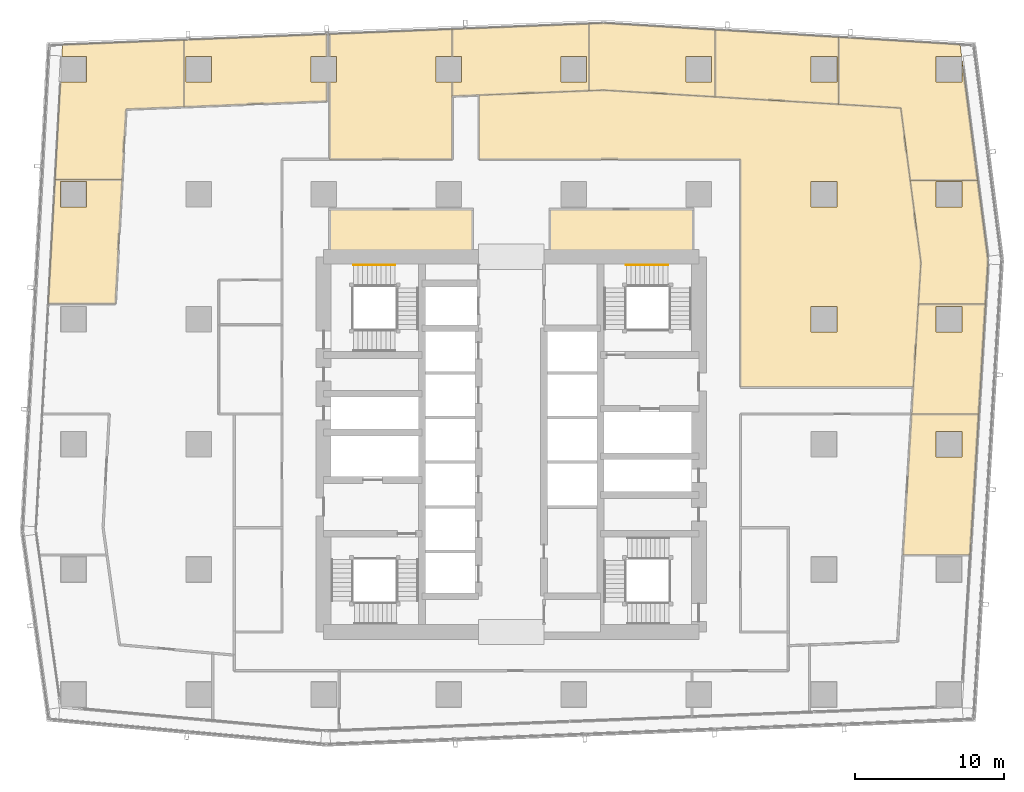
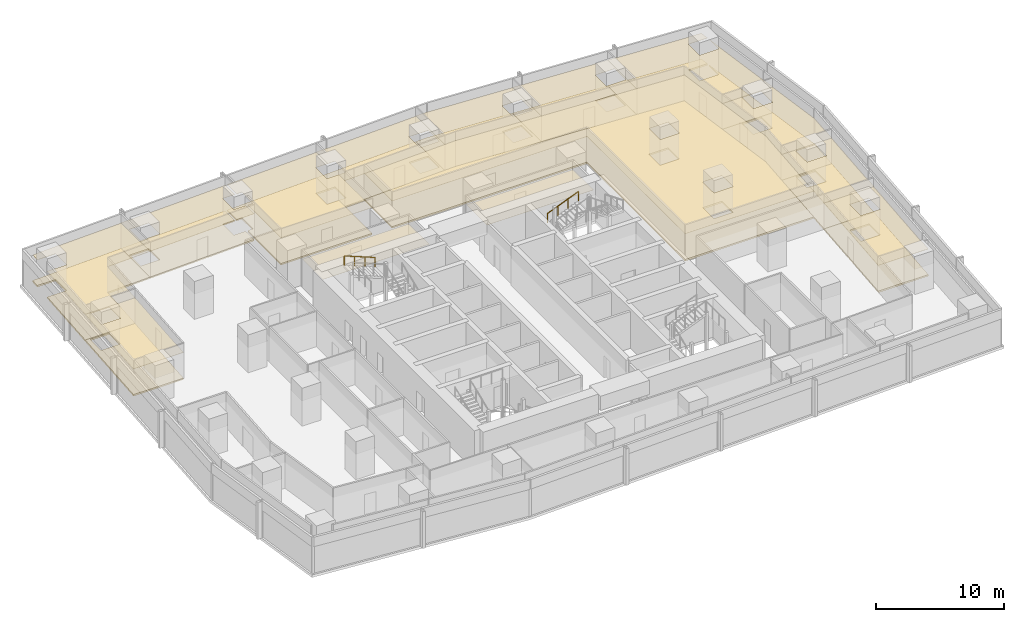
# One storey, part 40 of 40: 26 coverings, 2 railings.
"""IFC4 building model written with IfcOpenShell, lengths in metres."""

from ifc_helpers import new_model, si_unit, direction, frame, origin, origin_2d, place, context, subcontext, project, spatial, polyline, circle, outline, extrude, material, layer, layer_set, type_object, element, save


model = new_model("IFC4")

# Units and contexts
model_context = context("Model", 3, precision=1e-05, world=origin(), true_north=direction((0.0, 1.0)))
body_context = subcontext(model_context, "Body", "Model", "MODEL_VIEW")
ifc_project = project(units=[si_unit("LENGTHUNIT", "METRE"), si_unit("AREAUNIT", "SQUARE_METRE"), si_unit("VOLUMEUNIT", "CUBIC_METRE"), si_unit("PLANEANGLEUNIT", "RADIAN"), si_unit("MASSUNIT", "GRAM", prefix="KILO")], contexts=[model_context])

# Site, building, storey
site_placement = place(None, origin())
site = spatial("IfcSite", under=ifc_project, at=site_placement, CompositionType="ELEMENT")
building_placement = place(site_placement, origin())
building = spatial("IfcBuilding", under=site, at=building_placement, Name="Rekha Terrace Tower", CompositionType="ELEMENT")
storey_placement = place(building_placement, frame((0.0, 0.0, 102.800048828125)))
storey = spatial("IfcBuildingStorey", under=building, at=storey_placement, Name="L25", CompositionType="ELEMENT", Elevation=102.800048828125)

# Coverings
ifc_material_1 = material(Name="Mineral fibre tile in exposed grid", Category="finish")
ifc_layer_1 = layer(ifc_material_1, 0.02001953125)
ifc_layer_set_1 = layer_set([ifc_layer_1], Name="Mineral fibre tile in exposed grid")
covering_type_1 = type_object("IfcCoveringType", Name="CL1 600x1200 office grid ceiling", PredefinedType="CEILING", material=ifc_layer_set_1)
covering_1_placement = place(storey_placement, frame((0.0, 0.0, 2.579833984375)))
element("IfcCovering", 1, at=covering_1_placement, inside=storey, type_object=covering_type_1, Name="Ceiling L25-04", PredefinedType="CEILING", context=body_context, shape_type="SweptSolid", body=[
    extrude(outline(polyline([(64.114013671875, 26.1669921875), (68.623046875, 26.1669921875), (69.202880859375, 35.633056640625), (64.694091796875, 35.633056640625), (64.114013671875, 26.1669921875)]), holes=[polyline([(68.06494140625, 34.465087890625), (68.06494140625, 32.735107421875), (66.3349609375, 32.735107421875), (66.3349609375, 34.465087890625), (68.06494140625, 34.465087890625)])]), origin(), (0.0, 0.0, 1.0), 0.02001953125),
])
covering_2_placement = place(storey_placement, frame((0.0, 0.0, 2.579833984375)))
element("IfcCovering", 2, at=covering_2_placement, inside=storey, type_object=covering_type_1, Name="Ceiling L25-05", PredefinedType="CEILING", context=body_context, shape_type="SweptSolid", body=[
    extrude(outline(polyline([(69.655029296875, 43.011962890625), (65.14599609375, 43.011962890625), (64.7529296875, 36.589111328125), (64.694091796875, 35.634033203125), (69.202880859375, 35.634033203125), (69.655029296875, 43.011962890625)]), holes=[polyline([(68.06494140625, 41.135009765625), (66.3349609375, 41.135009765625), (66.3349609375, 42.864990234375), (68.06494140625, 42.864990234375), (68.06494140625, 41.135009765625)])]), origin(), (0.0, 0.0, 1.0), 0.02001953125),
])
covering_3_placement = place(storey_placement, frame((0.0, 0.0, 2.579833984375)))
element("IfcCovering", 3, at=covering_3_placement, inside=storey, type_object=covering_type_1, Name="Ceiling L25-06", PredefinedType="CEILING", context=body_context, shape_type="SweptSolid", body=[
    extrude(outline(polyline([(69.8359375, 45.971923828125), (69.136962890625, 51.337890625), (64.59912109375, 51.337890625), (65.318115234375, 45.818115234375), (65.14599609375, 43.012939453125), (69.655029296875, 43.012939453125), (69.8359375, 45.971923828125)]), holes=[polyline([(68.06494140625, 49.534912109375), (66.3349609375, 49.534912109375), (66.3349609375, 51.264892578125), (68.06494140625, 51.264892578125), (68.06494140625, 49.534912109375)])]), origin(), (0.0, 0.0, 1.0), 0.02001953125),
])
covering_4_placement = place(storey_placement, frame((0.0, 0.0, 2.579833984375)))
element("IfcCovering", 4, at=covering_4_placement, inside=storey, type_object=covering_type_1, Name="Ceiling L25-07", PredefinedType="CEILING", context=body_context, shape_type="SweptSolid", body=[
    extrude(outline(polyline([(67.948974609375, 60.462890625), (59.7880859375, 60.952880859375), (59.7880859375, 56.445068359375), (63.967041015625, 56.194091796875), (64.59912109375, 51.339111328125), (69.136962890625, 51.339111328125), (68.0849609375, 59.416015625), (68.06494140625, 59.4150390625), (68.06494140625, 57.93505859375), (66.3349609375, 57.93505859375), (66.3349609375, 59.6650390625), (68.052978515625, 59.6650390625), (67.948974609375, 60.462890625)])), origin(), (0.0, 0.0, 1.0), 0.02001953125),
])
covering_5_placement = place(storey_placement, frame((0.0, 0.0, 2.579833984375)))
element("IfcCovering", 5, at=covering_5_placement, inside=storey, type_object=covering_type_1, Name="Ceiling L25-08", PredefinedType="CEILING", context=body_context, shape_type="SweptSolid", body=[
    extrude(outline(polyline([(59.787109375, 56.445068359375), (59.787109375, 60.9541015625), (51.4951171875, 61.451904296875), (51.4951171875, 56.944091796875), (59.787109375, 56.445068359375)]), holes=[polyline([(59.6650390625, 57.93505859375), (57.93505859375, 57.93505859375), (57.93505859375, 59.6650390625), (59.6650390625, 59.6650390625), (59.6650390625, 57.93505859375)])]), origin(), (0.0, 0.0, 1.0), 0.02001953125),
])
covering_6_placement = place(storey_placement, frame((0.0, 0.0, 2.579833984375)))
element("IfcCovering", 6, at=covering_6_placement, inside=storey, type_object=covering_type_1, Name="Ceiling L25-09", PredefinedType="CEILING", context=body_context, shape_type="SweptSolid", body=[
    extrude(outline(polyline([(44.0380859375, 61.89990234375), (43.02392578125, 61.85888671875), (43.02392578125, 57.35595703125), (43.992919921875, 57.39501953125), (51.493896484375, 56.944091796875), (51.493896484375, 61.451904296875), (44.0380859375, 61.89990234375)]), holes=[polyline([(51.264892578125, 57.93505859375), (49.534912109375, 57.93505859375), (49.534912109375, 59.6650390625), (51.264892578125, 59.6650390625), (51.264892578125, 57.93505859375)])]), origin(), (0.0, 0.0, 1.0), 0.02001953125),
])
covering_7_placement = place(storey_placement, frame((0.0, 0.0, 2.579833984375)))
element("IfcCovering", 7, at=covering_7_placement, inside=storey, type_object=covering_type_1, Name="Ceiling L25-10", PredefinedType="CEILING", context=body_context, shape_type="SweptSolid", body=[
    extrude(outline(polyline([(34.465087890625, 57.93505859375), (33.827880859375, 57.93505859375), (33.827880859375, 56.987060546875), (34.60400390625, 57.01806640625), (43.02294921875, 57.35595703125), (43.02294921875, 61.85888671875), (33.827880859375, 61.490966796875), (33.827880859375, 59.6650390625), (34.465087890625, 59.6650390625), (34.465087890625, 57.93505859375)]), holes=[polyline([(42.864990234375, 57.93505859375), (41.135009765625, 57.93505859375), (41.135009765625, 59.6650390625), (42.864990234375, 59.6650390625), (42.864990234375, 57.93505859375)])]), origin(), (0.0, 0.0, 1.0), 0.02001953125),
])
covering_8_placement = place(storey_placement, frame((0.0, 0.0, 2.579833984375)))
element("IfcCovering", 8, at=covering_8_placement, inside=storey, type_object=covering_type_1, Name="Ceiling L25-12", PredefinedType="CEILING", context=body_context, shape_type="SweptSolid", body=[
    extrude(outline(polyline([(25.60009765625, 52.75), (33.825927734375, 52.75), (33.825927734375, 56.987060546875), (33.826904296875, 56.987060546875), (33.826904296875, 57.93505859375), (32.735107421875, 57.93505859375), (32.735107421875, 59.6650390625), (33.826904296875, 59.6650390625), (33.826904296875, 61.490966796875), (26.258056640625, 61.18798828125), (25.60009765625, 61.160888671875), (25.60009765625, 59.6650390625), (26.06494140625, 59.6650390625), (26.06494140625, 57.93505859375), (25.60009765625, 57.93505859375), (25.60009765625, 52.75)])), origin(), (0.0, 0.0, 1.0), 0.02001953125),
])
covering_9_placement = place(storey_placement, frame((0.0, 0.0, 2.579833984375)))
element("IfcCovering", 9, at=covering_9_placement, inside=storey, type_object=covering_type_1, Name="Ceiling L25-O1", PredefinedType="CEILING", context=body_context, shape_type="SweptSolid", body=[
    extrude(outline(polyline([(43.992919921875, 57.39501953125), (43.02392578125, 57.35595703125), (35.6259765625, 57.05908203125), (35.6259765625, 52.75), (53.199951171875, 52.75), (53.199951171875, 37.43701171875), (64.804931640625, 37.43701171875), (65.14599609375, 43.012939453125), (65.318115234375, 45.818115234375), (64.596923828125, 51.35498046875), (63.967041015625, 56.194091796875), (59.787109375, 56.445068359375), (51.493896484375, 56.944091796875), (43.992919921875, 57.39501953125)]), holes=[polyline([(59.6650390625, 41.135009765625), (57.93505859375, 41.135009765625), (57.93505859375, 42.864990234375), (59.6650390625, 42.864990234375), (59.6650390625, 41.135009765625)]), polyline([(59.6650390625, 49.534912109375), (57.93505859375, 49.534912109375), (57.93505859375, 51.264892578125), (59.6650390625, 51.264892578125), (59.6650390625, 49.534912109375)])]), origin(), (0.0, 0.0, 1.0), 0.02001953125),
])
covering_10_placement = place(storey_placement, frame((0.0, 0.0, 2.579833984375)))
element("IfcCovering", 10, at=covering_10_placement, inside=storey, type_object=covering_type_1, Name="Ceiling L25-13", PredefinedType="CEILING", context=body_context, shape_type="SweptSolid", body=[
    extrude(outline(polyline([(25.4130859375, 61.154052734375), (15.81494140625, 60.76904296875), (15.81494140625, 56.264892578125), (25.4130859375, 56.64990234375), (25.4130859375, 57.93505859375), (24.3349609375, 57.93505859375), (24.3349609375, 59.6650390625), (25.4130859375, 59.6650390625), (25.4130859375, 61.154052734375)]), holes=[polyline([(17.6650390625, 57.93505859375), (15.93505859375, 57.93505859375), (15.93505859375, 59.6650390625), (17.6650390625, 59.6650390625), (17.6650390625, 57.93505859375)])]), origin(), (0.0, 0.0, 1.0), 0.02001953125),
])
covering_11_placement = place(storey_placement, frame((0.0, 0.0, 2.579833984375)))
element("IfcCovering", 11, at=covering_11_placement, inside=storey, type_object=covering_type_1, Name="Ceiling L25-14", PredefinedType="CEILING", context=body_context, shape_type="SweptSolid", body=[
    extrude(outline(polyline([(7.51611328125, 57.93505859375), (7.156005859375, 51.37890625), (11.6630859375, 51.37890625), (11.922119140625, 56.10888671875), (15.81396484375, 56.264892578125), (15.81396484375, 60.76904296875), (7.653076171875, 60.44189453125), (7.610107421875, 59.6650390625), (9.264892578125, 59.6650390625), (9.264892578125, 57.93505859375), (7.51611328125, 57.93505859375)])), origin(), (0.0, 0.0, 1.0), 0.02001953125),
])
covering_12_placement = place(storey_placement, frame((0.0, 0.0, 2.579833984375)))
element("IfcCovering", 12, at=covering_12_placement, inside=storey, type_object=covering_type_1, Name="Ceiling L25-15", PredefinedType="CEILING", context=body_context, shape_type="SweptSolid", body=[
    extrude(outline(polyline([(11.6630859375, 51.3779296875), (7.156005859375, 51.3779296875), (6.698974609375, 43.0458984375), (11.2060546875, 43.0458984375), (11.6630859375, 51.3779296875)]), holes=[polyline([(9.264892578125, 51.264892578125), (9.264892578125, 49.534912109375), (7.534912109375, 49.534912109375), (7.534912109375, 51.264892578125), (9.264892578125, 51.264892578125)])]), origin(), (0.0, 0.0, 1.0), 0.02001953125),
])
ifc_material_2 = material(Name="Fibre cement board", Category="finish")
ifc_layer_2 = layer(ifc_material_2, 0.014892578125)
ifc_layer_set_2 = layer_set([ifc_layer_2], Name="Fibre cement board")
covering_type_2 = type_object("IfcCoveringType", Name="CL2 moisture-resistant board ceiling", PredefinedType="CEILING", material=ifc_layer_set_2)
covering_13_placement = place(storey_placement, frame((0.0, 0.0, 2.5849609375)))
element("IfcCovering", 13, at=covering_13_placement, inside=storey, type_object=covering_type_2, Name="Ceiling L25-WCF", PredefinedType="CEILING", context=body_context, shape_type="SweptSolid", body=[
    extrude(outline(polyline([(50.0, 49.39990234375), (40.39990234375, 49.39990234375), (40.39990234375, 46.199951171875), (50.0, 46.199951171875), (50.0, 49.39990234375)])), origin(), (0.0, 0.0, 1.0), 0.014892578125),
])
covering_14_placement = place(storey_placement, frame((0.0, 0.0, 2.5849609375)))
element("IfcCovering", 14, at=covering_14_placement, inside=storey, type_object=covering_type_2, Name="Ceiling L25-WCF2", PredefinedType="CEILING", context=body_context, shape_type="SweptSolid", body=[
    extrude(outline(polyline([(35.199951171875, 49.39990234375), (25.60009765625, 49.39990234375), (25.60009765625, 46.199951171875), (35.199951171875, 46.199951171875), (35.199951171875, 49.39990234375)])), origin(), (0.0, 0.0, 1.0), 0.014892578125),
])

# Railings
ifc_material_3 = material(Name="Stainless steel tube", Category="steel")
railing_type = type_object("IfcRailingType", Name="HR1 900 stair handrail", PredefinedType="HANDRAIL", material=ifc_material_3)
railing_1_placement = place(storey_placement, frame((45.52490234375, 45.639892578125, 1.375)))
element("IfcRailing", 15, at=railing_1_placement, inside=storey, type_object=railing_type, Name="Handrail ST2 L25 flight 2", PredefinedType="HANDRAIL", context=body_context, shape_type="SweptSolid", body=[
    extrude(circle(Radius=0.02392578125, at=origin_2d()), frame((0.0, 0.0, 0.8759765625), z_axis=(0.927443287984, 0.0, 0.373963831907), x_axis=(0.0, 1.0, 0.0)), (0.0, 0.0, 1.0), 3.00830078125),
    extrude(circle(Radius=0.02099609375, at=origin_2d()), origin(), (0.0, 0.0, 1.0), 0.851806640625),
    extrude(circle(Radius=0.02099609375, at=origin_2d()), frame((0.929931640625, 0.0, 0.375)), (0.0, 0.0, 1.0), 0.851806640625),
    extrude(circle(Radius=0.02099609375, at=origin_2d()), frame((1.860107421875, 0.0, 0.75)), (0.0, 0.0, 1.0), 0.851806640625),
    extrude(circle(Radius=0.02099609375, at=origin_2d()), frame((2.7900390625, 0.0, 1.125)), (0.0, 0.0, 1.0), 0.851806640625),
])
railing_2_placement = place(storey_placement, frame((29.989990234375, 45.639892578125, 2.625)))
element("IfcRailing", 16, at=railing_2_placement, inside=storey, type_object=railing_type, Name="Handrail ST4 L25 flight 3", PredefinedType="HANDRAIL", context=body_context, shape_type="SweptSolid", body=[
    extrude(circle(Radius=0.02392578125, at=origin_2d()), frame((0.0, 0.0, 0.8759765625), z_axis=(-0.927443287984, 0.0, 0.373963831907), x_axis=(0.0, -1.0, 0.0)), (0.0, 0.0, 1.0), 3.00830078125),
    extrude(circle(Radius=0.02099609375, at=origin_2d()), origin(), (0.0, 0.0, 1.0), 0.851806640625),
    extrude(circle(Radius=0.02099609375, at=origin_2d()), frame((-0.929931640625, 0.0, 0.375)), (0.0, 0.0, 1.0), 0.851806640625),
    extrude(circle(Radius=0.02099609375, at=origin_2d()), frame((-1.860107421875, 0.0, 0.75)), (0.0, 0.0, 1.0), 0.851806640625),
    extrude(circle(Radius=0.02099609375, at=origin_2d()), frame((-2.7900390625, 0.0, 1.125)), (0.0, 0.0, 1.0), 0.851806640625),
])

# Coverings
ifc_material_4 = material(Name="Calcium sulphate panels on steel pedestals", Category="steel")
ifc_layer_3 = layer(ifc_material_4, 0.14990234375)
ifc_layer_set_3 = layer_set([ifc_layer_3], Name="Calcium sulphate panels on steel pedestals")
covering_type_3 = type_object("IfcCoveringType", Name="RF1 150 raised access floor", PredefinedType="FLOORING", material=ifc_layer_set_3)
covering_15_placement = place(storey_placement, origin())
element("IfcCovering", 17, at=covering_15_placement, inside=storey, type_object=covering_type_3, Name="Raised floor L25-04", PredefinedType="FLOORING", context=body_context, shape_type="SweptSolid", body=[
    extrude(outline(polyline([(64.114013671875, 26.1669921875), (68.623046875, 26.1669921875), (69.202880859375, 35.633056640625), (64.694091796875, 35.633056640625), (64.114013671875, 26.1669921875)]), holes=[polyline([(68.06494140625, 34.465087890625), (68.06494140625, 32.735107421875), (66.3349609375, 32.735107421875), (66.3349609375, 34.465087890625), (68.06494140625, 34.465087890625)])]), origin(), (0.0, 0.0, 1.0), 0.14990234375),
])
covering_16_placement = place(storey_placement, origin())
element("IfcCovering", 18, at=covering_16_placement, inside=storey, type_object=covering_type_3, Name="Raised floor L25-05", PredefinedType="FLOORING", context=body_context, shape_type="SweptSolid", body=[
    extrude(outline(polyline([(69.655029296875, 43.011962890625), (65.14599609375, 43.011962890625), (64.7529296875, 36.589111328125), (64.694091796875, 35.634033203125), (69.202880859375, 35.634033203125), (69.655029296875, 43.011962890625)]), holes=[polyline([(68.06494140625, 41.135009765625), (66.3349609375, 41.135009765625), (66.3349609375, 42.864990234375), (68.06494140625, 42.864990234375), (68.06494140625, 41.135009765625)])]), origin(), (0.0, 0.0, 1.0), 0.14990234375),
])
covering_17_placement = place(storey_placement, origin())
element("IfcCovering", 19, at=covering_17_placement, inside=storey, type_object=covering_type_3, Name="Raised floor L25-06", PredefinedType="FLOORING", context=body_context, shape_type="SweptSolid", body=[
    extrude(outline(polyline([(69.8359375, 45.971923828125), (69.136962890625, 51.337890625), (64.59912109375, 51.337890625), (65.318115234375, 45.818115234375), (65.14599609375, 43.012939453125), (69.655029296875, 43.012939453125), (69.8359375, 45.971923828125)]), holes=[polyline([(68.06494140625, 49.534912109375), (66.3349609375, 49.534912109375), (66.3349609375, 51.264892578125), (68.06494140625, 51.264892578125), (68.06494140625, 49.534912109375)])]), origin(), (0.0, 0.0, 1.0), 0.14990234375),
])
covering_18_placement = place(storey_placement, origin())
element("IfcCovering", 20, at=covering_18_placement, inside=storey, type_object=covering_type_3, Name="Raised floor L25-07", PredefinedType="FLOORING", context=body_context, shape_type="SweptSolid", body=[
    extrude(outline(polyline([(67.948974609375, 60.462890625), (59.7880859375, 60.952880859375), (59.7880859375, 56.445068359375), (63.967041015625, 56.194091796875), (64.59912109375, 51.339111328125), (69.136962890625, 51.339111328125), (68.0849609375, 59.416015625), (68.06494140625, 59.4150390625), (68.06494140625, 57.93505859375), (66.3349609375, 57.93505859375), (66.3349609375, 59.6650390625), (68.052978515625, 59.6650390625), (67.948974609375, 60.462890625)])), origin(), (0.0, 0.0, 1.0), 0.14990234375),
])
covering_19_placement = place(storey_placement, origin())
element("IfcCovering", 21, at=covering_19_placement, inside=storey, type_object=covering_type_3, Name="Raised floor L25-08", PredefinedType="FLOORING", context=body_context, shape_type="SweptSolid", body=[
    extrude(outline(polyline([(59.787109375, 56.445068359375), (59.787109375, 60.9541015625), (51.4951171875, 61.451904296875), (51.4951171875, 56.944091796875), (59.787109375, 56.445068359375)]), holes=[polyline([(59.6650390625, 57.93505859375), (57.93505859375, 57.93505859375), (57.93505859375, 59.6650390625), (59.6650390625, 59.6650390625), (59.6650390625, 57.93505859375)])]), origin(), (0.0, 0.0, 1.0), 0.14990234375),
])
covering_20_placement = place(storey_placement, origin())
element("IfcCovering", 22, at=covering_20_placement, inside=storey, type_object=covering_type_3, Name="Raised floor L25-09", PredefinedType="FLOORING", context=body_context, shape_type="SweptSolid", body=[
    extrude(outline(polyline([(44.0380859375, 61.89990234375), (43.02392578125, 61.85888671875), (43.02392578125, 57.35595703125), (43.992919921875, 57.39501953125), (51.493896484375, 56.944091796875), (51.493896484375, 61.451904296875), (44.0380859375, 61.89990234375)]), holes=[polyline([(51.264892578125, 57.93505859375), (49.534912109375, 57.93505859375), (49.534912109375, 59.6650390625), (51.264892578125, 59.6650390625), (51.264892578125, 57.93505859375)])]), origin(), (0.0, 0.0, 1.0), 0.14990234375),
])
covering_21_placement = place(storey_placement, origin())
element("IfcCovering", 23, at=covering_21_placement, inside=storey, type_object=covering_type_3, Name="Raised floor L25-10", PredefinedType="FLOORING", context=body_context, shape_type="SweptSolid", body=[
    extrude(outline(polyline([(34.465087890625, 57.93505859375), (33.827880859375, 57.93505859375), (33.827880859375, 56.987060546875), (34.60400390625, 57.01806640625), (43.02294921875, 57.35595703125), (43.02294921875, 61.85888671875), (33.827880859375, 61.490966796875), (33.827880859375, 59.6650390625), (34.465087890625, 59.6650390625), (34.465087890625, 57.93505859375)]), holes=[polyline([(42.864990234375, 57.93505859375), (41.135009765625, 57.93505859375), (41.135009765625, 59.6650390625), (42.864990234375, 59.6650390625), (42.864990234375, 57.93505859375)])]), origin(), (0.0, 0.0, 1.0), 0.14990234375),
])
covering_22_placement = place(storey_placement, origin())
element("IfcCovering", 24, at=covering_22_placement, inside=storey, type_object=covering_type_3, Name="Raised floor L25-12", PredefinedType="FLOORING", context=body_context, shape_type="SweptSolid", body=[
    extrude(outline(polyline([(25.60009765625, 52.75), (33.825927734375, 52.75), (33.825927734375, 56.987060546875), (33.826904296875, 56.987060546875), (33.826904296875, 57.93505859375), (32.735107421875, 57.93505859375), (32.735107421875, 59.6650390625), (33.826904296875, 59.6650390625), (33.826904296875, 61.490966796875), (26.258056640625, 61.18798828125), (25.60009765625, 61.160888671875), (25.60009765625, 59.6650390625), (26.06494140625, 59.6650390625), (26.06494140625, 57.93505859375), (25.60009765625, 57.93505859375), (25.60009765625, 52.75)])), origin(), (0.0, 0.0, 1.0), 0.14990234375),
])
covering_23_placement = place(storey_placement, origin())
element("IfcCovering", 25, at=covering_23_placement, inside=storey, type_object=covering_type_3, Name="Raised floor L25-O1", PredefinedType="FLOORING", context=body_context, shape_type="SweptSolid", body=[
    extrude(outline(polyline([(43.992919921875, 57.39501953125), (43.02392578125, 57.35595703125), (35.6259765625, 57.05908203125), (35.6259765625, 52.75), (53.199951171875, 52.75), (53.199951171875, 37.43701171875), (64.804931640625, 37.43701171875), (65.14599609375, 43.012939453125), (65.318115234375, 45.818115234375), (64.596923828125, 51.35498046875), (63.967041015625, 56.194091796875), (59.787109375, 56.445068359375), (51.493896484375, 56.944091796875), (43.992919921875, 57.39501953125)]), holes=[polyline([(59.6650390625, 41.135009765625), (57.93505859375, 41.135009765625), (57.93505859375, 42.864990234375), (59.6650390625, 42.864990234375), (59.6650390625, 41.135009765625)]), polyline([(59.6650390625, 49.534912109375), (57.93505859375, 49.534912109375), (57.93505859375, 51.264892578125), (59.6650390625, 51.264892578125), (59.6650390625, 49.534912109375)])]), origin(), (0.0, 0.0, 1.0), 0.14990234375),
])
covering_24_placement = place(storey_placement, origin())
element("IfcCovering", 26, at=covering_24_placement, inside=storey, type_object=covering_type_3, Name="Raised floor L25-13", PredefinedType="FLOORING", context=body_context, shape_type="SweptSolid", body=[
    extrude(outline(polyline([(25.4130859375, 61.154052734375), (15.81494140625, 60.76904296875), (15.81494140625, 56.264892578125), (25.4130859375, 56.64990234375), (25.4130859375, 57.93505859375), (24.3349609375, 57.93505859375), (24.3349609375, 59.6650390625), (25.4130859375, 59.6650390625), (25.4130859375, 61.154052734375)]), holes=[polyline([(17.6650390625, 57.93505859375), (15.93505859375, 57.93505859375), (15.93505859375, 59.6650390625), (17.6650390625, 59.6650390625), (17.6650390625, 57.93505859375)])]), origin(), (0.0, 0.0, 1.0), 0.14990234375),
])
covering_25_placement = place(storey_placement, origin())
element("IfcCovering", 27, at=covering_25_placement, inside=storey, type_object=covering_type_3, Name="Raised floor L25-14", PredefinedType="FLOORING", context=body_context, shape_type="SweptSolid", body=[
    extrude(outline(polyline([(7.51611328125, 57.93505859375), (7.156005859375, 51.37890625), (11.6630859375, 51.37890625), (11.922119140625, 56.10888671875), (15.81396484375, 56.264892578125), (15.81396484375, 60.76904296875), (7.653076171875, 60.44189453125), (7.610107421875, 59.6650390625), (9.264892578125, 59.6650390625), (9.264892578125, 57.93505859375), (7.51611328125, 57.93505859375)])), origin(), (0.0, 0.0, 1.0), 0.14990234375),
])
covering_26_placement = place(storey_placement, origin())
element("IfcCovering", 28, at=covering_26_placement, inside=storey, type_object=covering_type_3, Name="Raised floor L25-15", PredefinedType="FLOORING", context=body_context, shape_type="SweptSolid", body=[
    extrude(outline(polyline([(11.6630859375, 51.3779296875), (7.156005859375, 51.3779296875), (6.698974609375, 43.0458984375), (11.2060546875, 43.0458984375), (11.6630859375, 51.3779296875)]), holes=[polyline([(9.264892578125, 51.264892578125), (9.264892578125, 49.534912109375), (7.534912109375, 49.534912109375), (7.534912109375, 51.264892578125), (9.264892578125, 51.264892578125)])]), origin(), (0.0, 0.0, 1.0), 0.14990234375),
])

save(model, "model.ifc")
